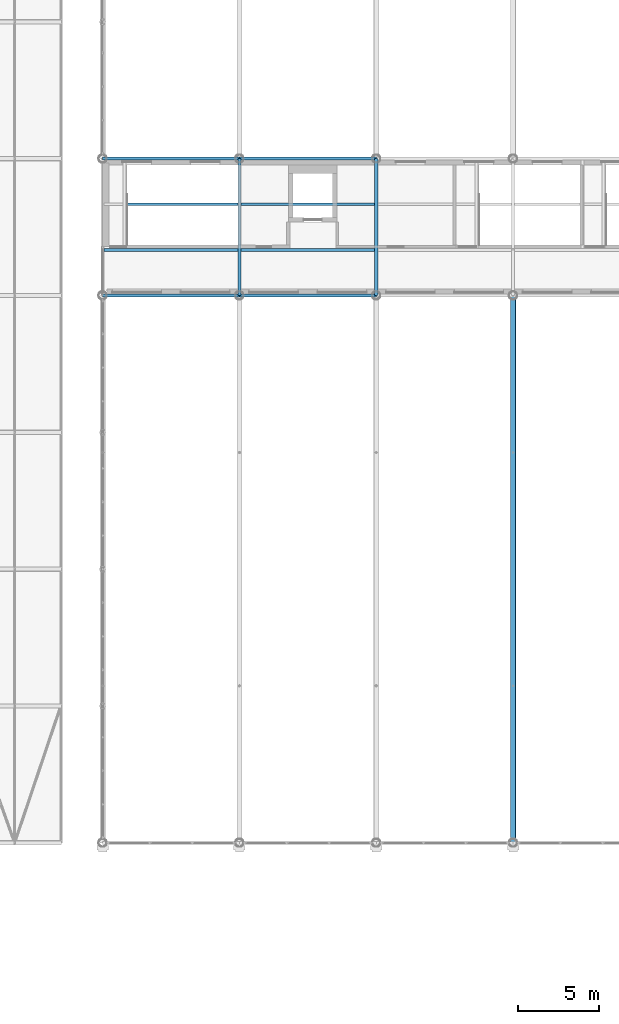
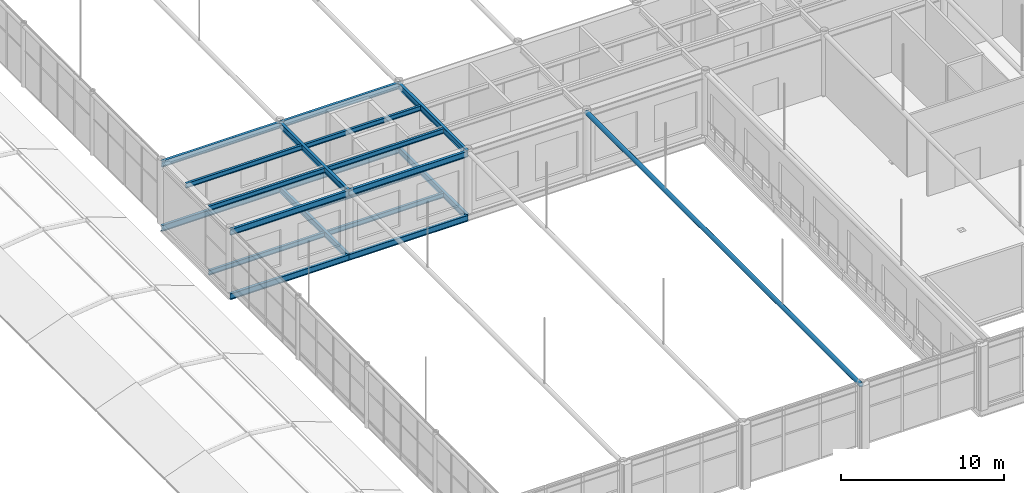
# One storey, part 57 of 167: 20 beams.
"""IFC4 building model written with IfcOpenShell, lengths in metres."""

from ifc_helpers import new_model, si_unit, direction, frame, origin, origin_2d, place, context, subcontext, project, spatial, hollow_circle, i_section, extrude, material, material_profile, profile_set, type_object, element, save


model = new_model("IFC4")

# Units and contexts
model_context = context("Model", 3, precision=1e-05, world=origin(), true_north=direction((0.0, 1.0)))
body_context = subcontext(model_context, "Body", "Model", "MODEL_VIEW")
ifc_project = project(units=[si_unit("LENGTHUNIT", "METRE"), si_unit("AREAUNIT", "SQUARE_METRE"), si_unit("VOLUMEUNIT", "CUBIC_METRE"), si_unit("PLANEANGLEUNIT", "RADIAN"), si_unit("MASSUNIT", "GRAM", prefix="KILO")], contexts=[model_context])

# Site, building, storey
site_placement = place(None, origin())
site = spatial("IfcSite", under=ifc_project, at=site_placement, CompositionType="ELEMENT")
building_placement = place(site_placement, origin())
building = spatial("IfcBuilding", under=site, at=building_placement, Name="Catenary Quay Ferry Terminal", CompositionType="ELEMENT")
storey_placement = place(building_placement, frame((0.0, 0.0, 6.0)))
storey = spatial("IfcBuildingStorey", under=building, at=storey_placement, Name="L01", CompositionType="ELEMENT", Elevation=6.0)

# Beams
ifc_material_1 = material(Name="Steel S355", Category="steel")
ifc_material_profile_1 = material_profile(ifc_material_1, i_section(OverallWidth=0.18994140625, OverallDepth=0.453369140625, WebThickness=0.008544921875, FlangeThickness=0.0126953125, at=origin_2d()), Name="UB 457x191x67")
ifc_profile_set_1 = profile_set([ifc_material_profile_1], Name="Steel S355")
beam_type_1 = type_object("IfcBeamType", Name="B1 UB 457x191x67", PredefinedType="BEAM", material=ifc_profile_set_1)
beam_1_placement = place(storey_placement, frame((25.199951171875, 100.800048828125, 4.373046875), z_axis=(1.0, 0.0, 0.0), x_axis=(0.0, 1.0, 0.0)))
element("IfcBeam", 1, at=beam_1_placement, inside=storey, type_object=beam_type_1, Name="Beam B1-009", PredefinedType="BEAM", context=body_context, shape_type="SweptSolid", body=[
    extrude(i_section(OverallWidth=0.18994140625, OverallDepth=0.453369140625, WebThickness=0.008544921875, FlangeThickness=0.0126953125, at=origin_2d()), origin(), (0.0, 0.0, 1.0), 8.400146484375),
])
beam_2_placement = place(storey_placement, frame((33.60009765625, 100.800048828125, 4.373046875), z_axis=(1.0, 0.0, 0.0), x_axis=(0.0, 1.0, 0.0)))
element("IfcBeam", 2, at=beam_2_placement, inside=storey, type_object=beam_type_1, Name="Beam B1-010", PredefinedType="BEAM", context=body_context, shape_type="SweptSolid", body=[
    extrude(i_section(OverallWidth=0.18994140625, OverallDepth=0.453369140625, WebThickness=0.008544921875, FlangeThickness=0.0126953125, at=origin_2d()), origin(), (0.0, 0.0, 1.0), 8.39990234375),
])
beam_3_placement = place(storey_placement, frame((25.199951171875, 109.199951171875, 4.373046875), z_axis=(1.0, 0.0, 0.0), x_axis=(0.0, 1.0, 0.0)))
element("IfcBeam", 3, at=beam_3_placement, inside=storey, type_object=beam_type_1, Name="Beam B1-017", PredefinedType="BEAM", context=body_context, shape_type="SweptSolid", body=[
    extrude(i_section(OverallWidth=0.18994140625, OverallDepth=0.453369140625, WebThickness=0.008544921875, FlangeThickness=0.0126953125, at=origin_2d()), origin(), (0.0, 0.0, 1.0), 8.400146484375),
])
for number, where, z_axis, x_axis, name in (
    (4, (33.60009765625, 109.199951171875, 4.373046875), (1.0, 0.0, 0.0), (0.0, 1.0, 0.0), "Beam B1-018"),
    (5, (33.60009765625, 100.800048828125, 4.373046875), (0.0, 1.0, 0.0), (-1.0, 0.0, 0.0), "Beam B1-054"),
    (6, (42.0, 100.800048828125, 4.373046875), (0.0, 1.0, 0.0), (-1.0, 0.0, 0.0), "Beam B1-055"),
):
    element("IfcBeam", number, at=place(storey_placement, frame(where, z_axis=z_axis, x_axis=x_axis)), inside=storey, type_object=beam_type_1, Name=name, PredefinedType="BEAM", context=body_context, shape_type="SweptSolid", body=[
        extrude(i_section(OverallWidth=0.18994140625, OverallDepth=0.453369140625, WebThickness=0.008544921875, FlangeThickness=0.0126953125, at=origin_2d()), origin(), (0.0, 0.0, 1.0), 8.39990234375),
    ])
beam_4_placement = place(storey_placement, frame((25.199951171875, 100.800048828125, -0.427001953125), z_axis=(1.0, 0.0, 0.0), x_axis=(0.0, 1.0, 0.0)))
element("IfcBeam", 7, at=beam_4_placement, inside=storey, type_object=beam_type_1, Name="Beam B1-082", PredefinedType="BEAM", context=body_context, shape_type="SweptSolid", body=[
    extrude(i_section(OverallWidth=0.18994140625, OverallDepth=0.453369140625, WebThickness=0.008544921875, FlangeThickness=0.0126953125, at=origin_2d()), origin(), (0.0, 0.0, 1.0), 8.400146484375),
])
beam_5_placement = place(storey_placement, frame((33.60009765625, 100.800048828125, -0.427001953125), z_axis=(1.0, 0.0, 0.0), x_axis=(0.0, 1.0, 0.0)))
element("IfcBeam", 8, at=beam_5_placement, inside=storey, type_object=beam_type_1, Name="Beam B1-083", PredefinedType="BEAM", context=body_context, shape_type="SweptSolid", body=[
    extrude(i_section(OverallWidth=0.18994140625, OverallDepth=0.453369140625, WebThickness=0.008544921875, FlangeThickness=0.0126953125, at=origin_2d()), origin(), (0.0, 0.0, 1.0), 8.39990234375),
])
beam_6_placement = place(storey_placement, frame((25.199951171875, 109.199951171875, -0.427001953125), z_axis=(1.0, 0.0, 0.0), x_axis=(0.0, 1.0, 0.0)))
element("IfcBeam", 9, at=beam_6_placement, inside=storey, type_object=beam_type_1, Name="Beam B1-086", PredefinedType="BEAM", context=body_context, shape_type="SweptSolid", body=[
    extrude(i_section(OverallWidth=0.18994140625, OverallDepth=0.453369140625, WebThickness=0.008544921875, FlangeThickness=0.0126953125, at=origin_2d()), origin(), (0.0, 0.0, 1.0), 8.400146484375),
])
for number, where, z_axis, x_axis, name in (
    (10, (33.60009765625, 109.199951171875, -0.427001953125), (1.0, 0.0, 0.0), (0.0, 1.0, 0.0), "Beam B1-087"),
    (11, (33.60009765625, 100.800048828125, -0.427001953125), (0.0, 1.0, 0.0), (-1.0, 0.0, 0.0), "Beam B1-091"),
    (12, (42.0, 100.800048828125, -0.427001953125), (0.0, 1.0, 0.0), (-1.0, 0.0, 0.0), "Beam B1-092"),
):
    element("IfcBeam", number, at=place(storey_placement, frame(where, z_axis=z_axis, x_axis=x_axis)), inside=storey, type_object=beam_type_1, Name=name, PredefinedType="BEAM", context=body_context, shape_type="SweptSolid", body=[
        extrude(i_section(OverallWidth=0.18994140625, OverallDepth=0.453369140625, WebThickness=0.008544921875, FlangeThickness=0.0126953125, at=origin_2d()), origin(), (0.0, 0.0, 1.0), 8.39990234375),
    ])
ifc_material_2 = material(Name="Steel S355", Category="steel")
ifc_material_profile_2 = material_profile(ifc_material_2, i_section(OverallWidth=0.169921875, OverallDepth=0.360107421875, WebThickness=0.008056640625, FlangeThickness=0.0126953125, at=origin_2d()), Name="IPE 360")
ifc_profile_set_2 = profile_set([ifc_material_profile_2], Name="Steel S355")
beam_type_2 = type_object("IfcBeamType", Name="B7 IPE 360", PredefinedType="BEAM", material=ifc_profile_set_2)
for number, where, z_axis, x_axis, name in (
    (13, (25.294921875, 103.60009765625, 4.419921875), (1.0, 0.0, 0.0), (0.0, 1.0, 0.0), "Beam B7-001"),
    (14, (33.695068359375, 103.60009765625, 4.419921875), (1.0, 0.0, 0.0), (0.0, 1.0, 0.0), "Beam B7-002"),
    (15, (25.294921875, 106.39990234375, 4.419921875), (1.0, 0.0, 0.0), (0.0, 1.0, 0.0), "Beam B7-009"),
    (16, (33.695068359375, 106.39990234375, 4.419921875), (1.0, 0.0, 0.0), (0.0, 1.0, 0.0), "Beam B7-010"),
    (17, (25.294921875, 103.60009765625, -0.3798828125), (1.0, 0.0, 0.0), (0.0, 1.0, 0.0), "Beam B7-017"),
    (18, (33.695068359375, 103.60009765625, -0.3798828125), (1.0, 0.0, 0.0), (0.0, 1.0, 0.0), "Beam B7-018"),
    (19, (33.695068359375, 106.39990234375, -0.3798828125), (1.0, 0.0, 0.0), (0.0, 1.0, 0.0), "Beam B7-022"),
):
    element("IfcBeam", number, at=place(storey_placement, frame(where, z_axis=z_axis, x_axis=x_axis)), inside=storey, type_object=beam_type_2, Name=name, PredefinedType="BEAM", context=body_context, shape_type="SweptSolid", body=[
        extrude(i_section(OverallWidth=0.169921875, OverallDepth=0.360107421875, WebThickness=0.008056640625, FlangeThickness=0.0126953125, at=origin_2d()), origin(), (0.0, 0.0, 1.0), 8.2099609375),
    ])
ifc_material_3 = material(Name="Steel S355", Category="steel")
ifc_material_profile_3 = material_profile(ifc_material_3, hollow_circle(Radius=0.161865234375, WallThickness=0.01611328125, at=origin_2d()), Name="CHS 323.9x16")
ifc_profile_set_3 = profile_set([ifc_material_profile_3], Name="Steel S355")
beam_type_3 = type_object("IfcBeamType", Name="TB3 CHS 323.9x16", PredefinedType="BEAM", material=ifc_profile_set_3)
beam_7_placement = place(storey_placement, frame((50.39990234375, 67.199951171875, 4.5), z_axis=(0.0, 1.0, 0.0), x_axis=(-1.0, 0.0, 0.0)))
element("IfcBeam", 20, at=beam_7_placement, inside=storey, type_object=beam_type_3, Name="Vault tie beam VA-04", PredefinedType="BEAM", context=body_context, shape_type="SweptSolid", body=[
    extrude(hollow_circle(Radius=0.161865234375, WallThickness=0.01611328125, at=origin_2d()), origin(), (0.0, 0.0, 1.0), 33.60009765625),
])

save(model, "model.ifc")
